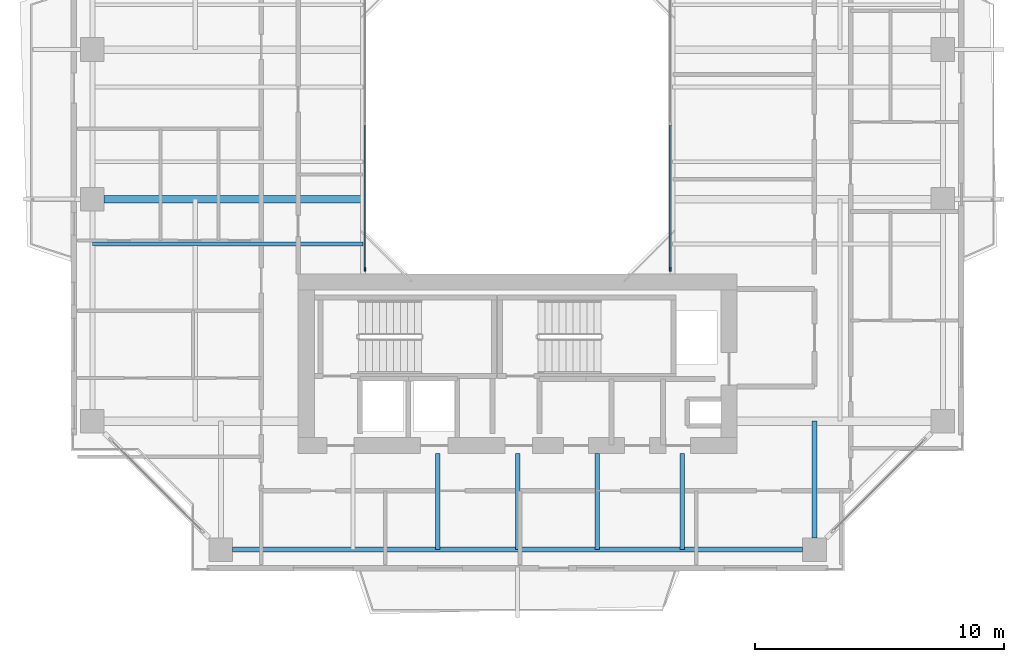
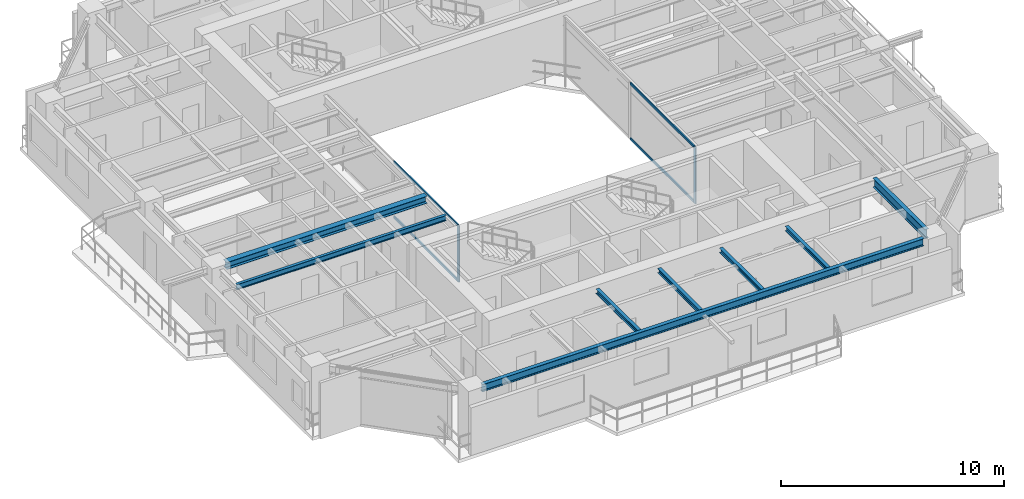
# One storey, part 4 of 18: 8 beams, 6 members, 2 elements without a shape of their own.
"""IFC4 building model written with IfcOpenShell, lengths in metres."""

from ifc_helpers import new_model, si_unit, direction, frame, origin, origin_2d, place, context, subcontext, project, spatial, rectangle, i_section, extrude, source, transform, mapped, material, layer, layer_set, material_profile, profile_set, type_object, element, aggregate, save


model = new_model("IFC4")

# Units and contexts
model_context = context("Model", 3, precision=1e-05, world=origin(), true_north=direction((0.0, 1.0)))
body_context = subcontext(model_context, "Body", "Model", "MODEL_VIEW")
ifc_project = project(units=[si_unit("LENGTHUNIT", "METRE"), si_unit("AREAUNIT", "SQUARE_METRE"), si_unit("VOLUMEUNIT", "CUBIC_METRE"), si_unit("PLANEANGLEUNIT", "RADIAN"), si_unit("MASSUNIT", "GRAM", prefix="KILO"), si_unit("THERMODYNAMICTEMPERATUREUNIT", "KELVIN"), si_unit("POWERUNIT", "WATT")], contexts=[model_context])

# Site, building, storey
site_placement = place(None, origin())
site = spatial("IfcSite", under=ifc_project, at=site_placement, CompositionType="ELEMENT")
building_placement = place(site_placement, origin())
building = spatial("IfcBuilding", under=site, at=building_placement, Name="Qiaomeng Ring Towers", CompositionType="ELEMENT")
storey_placement = place(building_placement, frame((0.0, 0.0, 179.5)))
storey = spatial("IfcBuildingStorey", under=building, at=storey_placement, Name="L52", CompositionType="ELEMENT", Elevation=179.5)

# Beams
ifc_material_1 = material(Name="Steel Q355B", Category="steel")
ifc_material_profile_1 = material_profile(ifc_material_1, i_section(OverallWidth=0.175048828125, OverallDepth=0.243896484375, WebThickness=0.007080078125, FlangeThickness=0.010986328125, FilletRadius=0.01611328125, at=origin_2d()), Name="HM 244x175x7x11")
ifc_profile_set_1 = profile_set([ifc_material_profile_1], Name="Steel Q355B")
beam_type_1 = type_object("IfcBeamType", Name="STR-BM-HM244", PredefinedType="JOIST", material=ifc_profile_set_1)
shared_shape_1 = source(origin(), body_context, "Body", "SweptSolid", [
    extrude(i_section(OverallWidth=0.175048828125, OverallDepth=0.243896484375, WebThickness=0.007080078125, FlangeThickness=0.010986328125, FilletRadius=0.01611328125, at=origin_2d()), origin(), (0.0, 0.0, 1.0), 3.85009765625),
])
for number, where, z_axis, x_axis, name in (
    (1, (15.800048828125, 5.949951171875, 2.947998046875), (0.0, 1.0, 0.0), (-1.0, 0.0, 0.0), "L52 beam STR-JST-L52-T1S-2"),
    (2, (19.0, 5.949951171875, 2.947998046875), (0.0, 1.0, 0.0), (-1.0, 0.0, 0.0), "L52 beam STR-JST-L52-T1S-3"),
    (3, (22.199951171875, 5.949951171875, 2.947998046875), (0.0, 1.0, 0.0), (-1.0, 0.0, 0.0), "L52 beam STR-JST-L52-T1S-4"),
    (4, (25.60009765625, 5.949951171875, 2.947998046875), (0.0, 1.0, 0.0), (-1.0, 0.0, 0.0), "L52 beam STR-JST-L52-T1S-5"),
):
    element("IfcBeam", number, at=place(storey_placement, frame(where, z_axis=z_axis, x_axis=x_axis)), inside=storey, type_object=beam_type_1, Name=name, PredefinedType="JOIST", context=body_context, shape_type="MappedRepresentation", body=[
        mapped(shared_shape_1, transform((0.0, 0.0, 0.0), x_axis=(1.0, 0.0, 0.0), y_axis=(0.0, 1.0, 0.0), z_axis=(0.0, 0.0, 1.0), scale=1.0)),
    ])
ifc_material_profile_2 = material_profile(ifc_material_1, i_section(OverallWidth=0.14990234375, OverallDepth=0.300048828125, WebThickness=0.006591796875, FlangeThickness=0.009033203125, FilletRadius=0.012939453125, at=origin_2d()), Name="HN 300x150x6.5x9")
ifc_profile_set_2 = profile_set([ifc_material_profile_2], Name="Steel Q355B")
beam_type_2 = type_object("IfcBeamType", Name="STR-BM-HN300", PredefinedType="JOIST", material=ifc_profile_set_2)
shared_shape_2 = source(origin(), body_context, "Body", "SweptSolid", [
    extrude(i_section(OverallWidth=0.14990234375, OverallDepth=0.300048828125, WebThickness=0.006591796875, FlangeThickness=0.009033203125, FilletRadius=0.012939453125, at=origin_2d()), origin(), (0.0, 0.0, 1.0), 10.85009765625),
])
beam_1_placement = place(storey_placement, frame((1.949951171875, 18.199951171875, 2.919921875), z_axis=(1.0, 0.0, 0.0), x_axis=(0.0, 1.0, 0.0)))
element("IfcBeam", 5, at=beam_1_placement, inside=storey, type_object=beam_type_2, Name="L52 beam STR-JST-L52-T1W-1", PredefinedType="JOIST", context=body_context, shape_type="MappedRepresentation", body=[
    mapped(shared_shape_2, transform((0.0, 0.0, 0.0), x_axis=(1.0, 0.0, 0.0), y_axis=(0.0, 1.0, 0.0), z_axis=(0.0, 0.0, 1.0), scale=1.0)),
])
ifc_material_profile_3 = material_profile(ifc_material_1, i_section(OverallWidth=0.199951171875, OverallDepth=0.39990234375, WebThickness=0.008056640625, FlangeThickness=0.012939453125, FilletRadius=0.01611328125, at=origin_2d()), Name="HN 400x200x8x13")
ifc_profile_set_3 = profile_set([ifc_material_profile_3], Name="Steel Q355B")
beam_type_3 = type_object("IfcBeamType", Name="STR-BM-HN400", PredefinedType="SPANDREL", material=ifc_profile_set_3)
shared_shape_3 = source(origin(), body_context, "Body", "SweptSolid", [
    extrude(i_section(OverallWidth=0.199951171875, OverallDepth=0.39990234375, WebThickness=0.008056640625, FlangeThickness=0.012939453125, FilletRadius=0.01611328125, at=origin_2d()), origin(), (0.0, 0.0, 1.0), 22.85205078125),
])
beam_2_placement = place(storey_placement, frame((7.573974609375, 5.949951171875, 2.8701171875), z_axis=(1.0, 0.0, 0.0), x_axis=(0.0, 1.0, 0.0)))
element("IfcBeam", 6, at=beam_2_placement, inside=storey, type_object=beam_type_3, Name="L52 beam STR-SP-L52-T1-S1-S2", PredefinedType="SPANDREL", context=body_context, shape_type="MappedRepresentation", body=[
    mapped(shared_shape_3, transform((0.0, 0.0, 0.0), x_axis=(1.0, 0.0, 0.0), y_axis=(0.0, 1.0, 0.0), z_axis=(0.0, 0.0, 1.0), scale=1.0)),
])
ifc_material_profile_4 = material_profile(ifc_material_1, i_section(OverallWidth=0.199951171875, OverallDepth=0.5, WebThickness=0.010009765625, FlangeThickness=0.01611328125, FilletRadius=0.02001953125, at=origin_2d()), Name="HN 500x200x10x16")
ifc_profile_set_4 = profile_set([ifc_material_profile_4], Name="Steel Q355B")
beam_type_4 = type_object("IfcBeamType", Name="STR-BM-HN500", PredefinedType="BEAM", material=ifc_profile_set_4)
shared_shape_4 = source(origin(), body_context, "Body", "SweptSolid", [
    extrude(i_section(OverallWidth=0.199951171875, OverallDepth=0.5, WebThickness=0.010009765625, FlangeThickness=0.01611328125, FilletRadius=0.02001953125, at=origin_2d()), origin(), (0.0, 0.0, 1.0), 4.676025390625),
])
beam_3_placement = place(storey_placement, frame((30.89990234375, 6.424072265625, 2.820068359375), z_axis=(0.0, 1.0, 0.0), x_axis=(-1.0, 0.0, 0.0)))
element("IfcBeam", 7, at=beam_3_placement, inside=storey, type_object=beam_type_4, Name="L52 beam STR-BM-L52-T1-RAD-S2", PredefinedType="BEAM", context=body_context, shape_type="MappedRepresentation", body=[
    mapped(shared_shape_4, transform((0.0, 0.0, 0.0), x_axis=(1.0, 0.0, 0.0), y_axis=(0.0, 1.0, 0.0), z_axis=(0.0, 0.0, 1.0), scale=1.0)),
])
ifc_material_profile_5 = material_profile(ifc_material_1, i_section(OverallWidth=0.300048828125, OverallDepth=0.389892578125, WebThickness=0.010009765625, FlangeThickness=0.01611328125, FilletRadius=0.02197265625, at=origin_2d()), Name="HM 390x300x10x16")
ifc_profile_set_5 = profile_set([ifc_material_profile_5], Name="Steel Q355B")
beam_type_5 = type_object("IfcBeamType", Name="STR-BM-HM390", PredefinedType="BEAM", material=ifc_profile_set_5)
shared_shape_5 = source(origin(), body_context, "Body", "SweptSolid", [
    extrude(i_section(OverallWidth=0.300048828125, OverallDepth=0.389892578125, WebThickness=0.010009765625, FlangeThickness=0.01611328125, FilletRadius=0.02197265625, at=origin_2d()), origin(), (0.0, 0.0, 1.0), 10.3759765625),
])
beam_4_placement = place(storey_placement, frame((2.424072265625, 20.0, 2.875), z_axis=(1.0, 0.0, 0.0), x_axis=(0.0, 1.0, 0.0)))
element("IfcBeam", 8, at=beam_4_placement, inside=storey, type_object=beam_type_5, Name="L52 beam STR-BM-L52-T1-RAD-W2", PredefinedType="BEAM", context=body_context, shape_type="MappedRepresentation", body=[
    mapped(shared_shape_5, transform((0.0, 0.0, 0.0), x_axis=(1.0, 0.0, 0.0), y_axis=(0.0, 1.0, 0.0), z_axis=(0.0, 0.0, 1.0), scale=1.0)),
])

# Curtain wall, member
ifc_material_2 = material(Name="Fluorocarbon dark-grey aluminium", Category="aluminium")
ifc_layer = layer(ifc_material_2, 0.139892578125, Name="Fluorocarbon dark-grey aluminium")
ifc_layer_set = layer_set([ifc_layer], Name="Fluorocarbon dark-grey aluminium")
curtain_wall_type = type_object("IfcCurtainWallType", Name="ARC-CW-4", PredefinedType="NOTDEFINED", material=ifc_layer_set)
curtain_wall_1_placement = place(storey_placement, origin())
curtain_wall_1 = element("IfcCurtainWall", 9, at=curtain_wall_1_placement, inside=storey, type_object=curtain_wall_type, Name="L52 Curtain Wall CW4", PredefinedType="NOTDEFINED")
ifc_material_profile_6 = material_profile(ifc_material_2, rectangle(XDim=0.06494140625, YDim=0.159912109375, at=origin_2d()), Name="ALU MULL 65x160")
ifc_profile_set_6 = profile_set([ifc_material_profile_6], Name="Fluorocarbon dark-grey aluminium")
member_type_1 = type_object("IfcMemberType", Name="ARC-CWM-140", PredefinedType="MULLION", material=ifc_profile_set_6)
shared_shape_6 = source(origin(), body_context, "Body", "SweptSolid", [
    extrude(rectangle(XDim=0.06494140625, YDim=0.159912109375, at=origin_2d()), origin(), (0.0, 0.0, 1.0), 3.070068359375),
])
member_1_placement = place(storey_placement, frame((12.8798828125, 17.1826171875, 0.0), z_axis=(0.0, 0.0, 1.0), x_axis=(-1.0, 0.0, 0.0)))
member_1 = element("IfcMember", 10, at=member_1_placement, type_object=member_type_1, Name="CW4 mullion 1", PredefinedType="MULLION", context=body_context, shape_type="MappedRepresentation", body=[
    mapped(shared_shape_6, transform((0.0, 0.0, 0.0), x_axis=(1.0, 0.0, 0.0), y_axis=(0.0, 1.0, 0.0), z_axis=(0.0, 0.0, 1.0), scale=1.0)),
])

curtain_wall_2_placement = place(storey_placement, origin())
curtain_wall_2 = element("IfcCurtainWall", 11, at=curtain_wall_2_placement, inside=storey, type_object=curtain_wall_type, Name="L52 Curtain Wall CW4", PredefinedType="NOTDEFINED")
member_2_placement = place(storey_placement, frame((25.1201171875, 17.1826171875, 0.0), z_axis=(0.0, 0.0, 1.0), x_axis=(-1.0, 0.0, 0.0)))
member_2 = element("IfcMember", 12, at=member_2_placement, type_object=member_type_1, Name="CW4 mullion 1", PredefinedType="MULLION", context=body_context, shape_type="MappedRepresentation", body=[
    mapped(shared_shape_6, transform((0.0, 0.0, 0.0), x_axis=(1.0, 0.0, 0.0), y_axis=(0.0, 1.0, 0.0), z_axis=(0.0, 0.0, 1.0), scale=1.0)),
])

# Member
ifc_material_profile_7 = material_profile(ifc_material_2, rectangle(XDim=0.06494140625, YDim=0.1298828125, at=origin_2d()), Name="ALU TRAN 65x130")
ifc_profile_set_7 = profile_set([ifc_material_profile_7], Name="Fluorocarbon dark-grey aluminium")
member_type_2 = type_object("IfcMemberType", Name="ARC-CWT-120", PredefinedType="USERDEFINED", material=ifc_profile_set_7)
shared_shape_7 = source(origin(), body_context, "Body", "SweptSolid", [
    extrude(rectangle(XDim=0.06494140625, YDim=0.1298828125, at=origin_2d()), origin(), (0.0, 0.0, 1.0), 5.75244140625),
])
member_3_placement = place(storey_placement, frame((12.8798828125, 17.215087890625, 0.032470703125), z_axis=(0.0, 1.0, 0.0), x_axis=(-1.0, 0.0, 0.0)))
member_3 = element("IfcMember", 13, at=member_3_placement, type_object=member_type_2, Name="CW4 transom 1.1", ObjectType="TRANSOM", PredefinedType="USERDEFINED", context=body_context, shape_type="MappedRepresentation", body=[
    mapped(shared_shape_7, transform((0.0, 0.0, 0.0), x_axis=(1.0, 0.0, 0.0), y_axis=(0.0, 1.0, 0.0), z_axis=(0.0, 0.0, 1.0), scale=1.0)),
])

member_4_placement = place(storey_placement, frame((12.8798828125, 17.215087890625, 3.03759765625), z_axis=(0.0, 1.0, 0.0), x_axis=(-1.0, 0.0, 0.0)))
member_4 = element("IfcMember", 14, at=member_4_placement, type_object=member_type_2, Name="CW4 transom 1.2", ObjectType="TRANSOM", PredefinedType="USERDEFINED", context=body_context, shape_type="MappedRepresentation", body=[
    mapped(shared_shape_7, transform((0.0, 0.0, 0.0), x_axis=(1.0, 0.0, 0.0), y_axis=(0.0, 1.0, 0.0), z_axis=(0.0, 0.0, 1.0), scale=1.0)),
])

aggregate(curtain_wall_1, [member_1, member_3, member_4])

member_5_placement = place(storey_placement, frame((25.1201171875, 17.215087890625, 0.032470703125), z_axis=(0.0, 1.0, 0.0), x_axis=(-1.0, 0.0, 0.0)))
member_5 = element("IfcMember", 15, at=member_5_placement, type_object=member_type_2, Name="CW4 transom 1.1", ObjectType="TRANSOM", PredefinedType="USERDEFINED", context=body_context, shape_type="MappedRepresentation", body=[
    mapped(shared_shape_7, transform((0.0, 0.0, 0.0), x_axis=(1.0, 0.0, 0.0), y_axis=(0.0, 1.0, 0.0), z_axis=(0.0, 0.0, 1.0), scale=1.0)),
])

member_6_placement = place(storey_placement, frame((25.1201171875, 17.215087890625, 3.03759765625), z_axis=(0.0, 1.0, 0.0), x_axis=(-1.0, 0.0, 0.0)))
member_6 = element("IfcMember", 16, at=member_6_placement, type_object=member_type_2, Name="CW4 transom 1.2", ObjectType="TRANSOM", PredefinedType="USERDEFINED", context=body_context, shape_type="MappedRepresentation", body=[
    mapped(shared_shape_7, transform((0.0, 0.0, 0.0), x_axis=(1.0, 0.0, 0.0), y_axis=(0.0, 1.0, 0.0), z_axis=(0.0, 0.0, 1.0), scale=1.0)),
])

aggregate(curtain_wall_2, [member_2, member_5, member_6])

save(model, "model.ifc")
